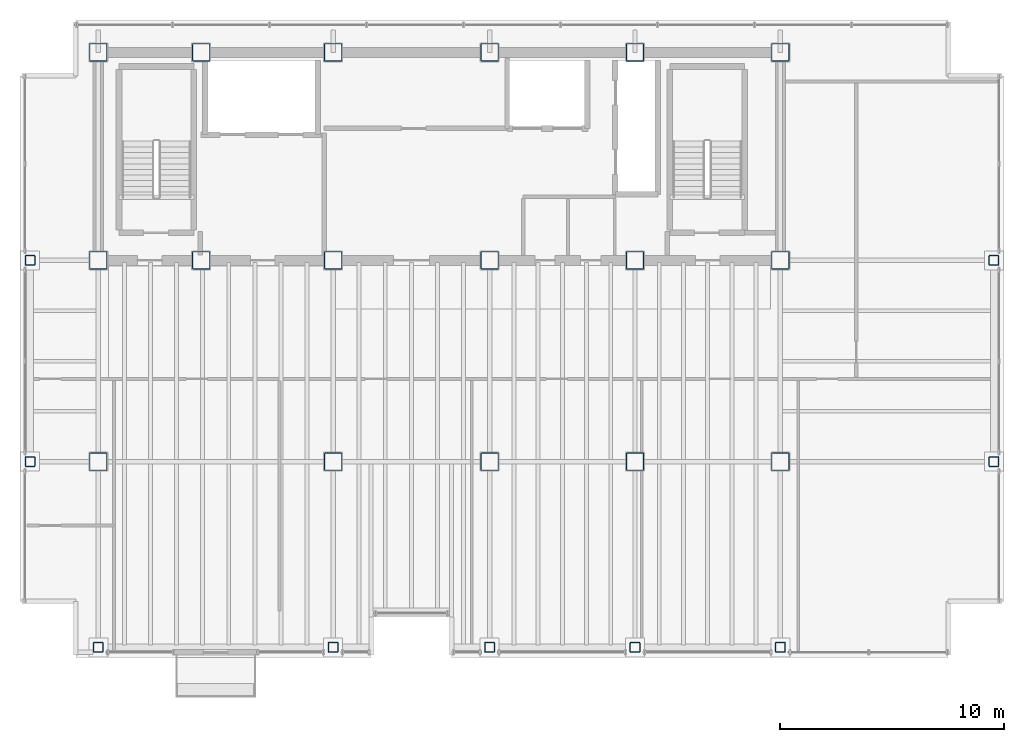
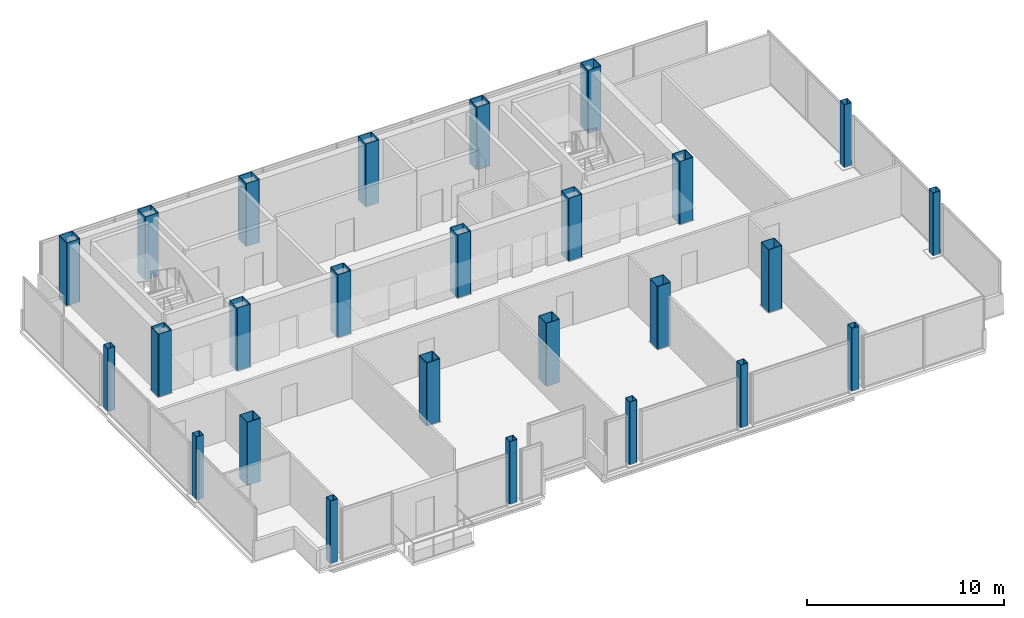
# One storey, part 1 of 15: 26 columns.
"""IFC4 building model written with IfcOpenShell, lengths in metres."""

from ifc_helpers import new_model, si_unit, direction, frame, origin, origin_2d, place, context, subcontext, project, spatial, hollow_rectangle, extrude, material, material_profile, profile_set, type_object, element, save


model = new_model("IFC4")

# Units and contexts
model_context = context("Model", 3, precision=1e-05, world=origin(), true_north=direction((0.0, 1.0)))
body_context = subcontext(model_context, "Body", "Model", "MODEL_VIEW")
ifc_project = project(units=[si_unit("LENGTHUNIT", "METRE"), si_unit("AREAUNIT", "SQUARE_METRE"), si_unit("VOLUMEUNIT", "CUBIC_METRE"), si_unit("PLANEANGLEUNIT", "RADIAN"), si_unit("MASSUNIT", "GRAM", prefix="KILO")], contexts=[model_context])

# Site, building, storey
site_placement = place(None, origin())
site = spatial("IfcSite", under=ifc_project, at=site_placement, CompositionType="ELEMENT")
building_placement = place(site_placement, origin())
building = spatial("IfcBuilding", under=site, at=building_placement, Name="Noeulbin Bourse Tower", CompositionType="ELEMENT")
storey_placement = place(building_placement, frame((0.0, 0.0, 211.10009765625)))
storey = spatial("IfcBuildingStorey", under=building, at=storey_placement, Name="L52", CompositionType="ELEMENT", Elevation=211.10009765625)

# Columns
ifc_material = material(Name="Steel S355", Category="steel")
ifc_material_profile_1 = material_profile(ifc_material, hollow_rectangle(XDim=0.449951171875, YDim=0.449951171875, WallThickness=0.02197265625, InnerFilletRadius=0.02197265625, OuterFilletRadius=0.0439453125, at=origin_2d()), Name="SHS-450x450x22", Category="LoadBearing")
ifc_profile_set_1 = profile_set([ifc_material_profile_1], Name="Steel S355")
column_type_1 = type_object("IfcColumnType", Name="COL-PER-Z3", PredefinedType="COLUMN", material=ifc_profile_set_1)
for number, where, z_axis, x_axis, name in (
    (1, (10.449951171875, 20.0, 0.0), (0.0, 0.0, 1.0), (1.0, 0.0, 0.0), "Tower Perimeter Column COL-PER-Z3 01"),
    (2, (10.449951171875, 29.0, 0.0), (0.0, 0.0, 1.0), (1.0, 0.0, 0.0), "Tower Perimeter Column COL-PER-Z3 02"),
    (3, (13.5, 11.699951171875, 0.0), (0.0, 0.0, 1.0), (1.0, 0.0, 0.0), "Tower Perimeter Column COL-PER-Z3 03"),
    (4, (24.0, 11.699951171875, 0.0), (0.0, 0.0, 1.0), (1.0, 0.0, 0.0), "Tower Perimeter Column COL-PER-Z3 04"),
    (5, (31.0, 11.699951171875, 0.0), (0.0, 0.0, 1.0), (1.0, 0.0, 0.0), "Tower Perimeter Column COL-PER-Z3 05"),
    (6, (37.5, 11.699951171875, 0.0), (0.0, 0.0, 1.0), (1.0, 0.0, 0.0), "Tower Perimeter Column COL-PER-Z3 06"),
    (7, (44.0, 11.699951171875, 0.0), (0.0, 0.0, 1.0), (1.0, 0.0, 0.0), "Tower Perimeter Column COL-PER-Z3 07"),
    (8, (53.550048828125, 20.0, 0.0), (0.0, 0.0, 1.0), (1.0, 0.0, 0.0), "Tower Perimeter Column COL-PER-Z3 08"),
    (9, (53.550048828125, 29.0, 0.0), (0.0, 0.0, 1.0), (1.0, 0.0, 0.0), "Tower Perimeter Column COL-PER-Z3 09"),
):
    element("IfcColumn", number, at=place(storey_placement, frame(where, z_axis=z_axis, x_axis=x_axis)), inside=storey, type_object=column_type_1, Name=name, PredefinedType="COLUMN", context=body_context, shape_type="SweptSolid", body=[
        extrude(hollow_rectangle(XDim=0.449951171875, YDim=0.449951171875, WallThickness=0.02197265625, InnerFilletRadius=0.02197265625, OuterFilletRadius=0.0439453125, at=origin_2d()), origin(), (0.0, 0.0, 1.0), 3.89990234375),
    ])
ifc_material_profile_2 = material_profile(ifc_material, hollow_rectangle(XDim=0.800048828125, YDim=0.800048828125, WallThickness=0.031982421875, InnerFilletRadius=0.01611328125, OuterFilletRadius=0.048095703125, at=origin_2d()), Name="BOX-800x800x32", Category="LoadBearing")
ifc_profile_set_2 = profile_set([ifc_material_profile_2], Name="Steel S355")
column_type_2 = type_object("IfcColumnType", Name="COL-TRK-Z3", PredefinedType="COLUMN", material=ifc_profile_set_2)
for number, where, z_axis, x_axis, name in (
    (10, (13.5, 29.0, 0.0), (0.0, 0.0, 1.0), (1.0, 0.0, 0.0), "Tower Trunk Mega-Column COL-TRK-Z3 01"),
    (11, (13.5, 38.300048828125, 0.0), (0.0, 0.0, 1.0), (1.0, 0.0, 0.0), "Tower Trunk Mega-Column COL-TRK-Z3 02"),
    (12, (18.10009765625, 29.0, 0.0), (0.0, 0.0, 1.0), (1.0, 0.0, 0.0), "Tower Trunk Mega-Column COL-TRK-Z3 03"),
    (13, (18.10009765625, 38.300048828125, 0.0), (0.0, 0.0, 1.0), (1.0, 0.0, 0.0), "Tower Trunk Mega-Column COL-TRK-Z3 04"),
    (14, (24.0, 29.0, 0.0), (0.0, 0.0, 1.0), (1.0, 0.0, 0.0), "Tower Trunk Mega-Column COL-TRK-Z3 05"),
    (15, (24.0, 38.300048828125, 0.0), (0.0, 0.0, 1.0), (1.0, 0.0, 0.0), "Tower Trunk Mega-Column COL-TRK-Z3 06"),
    (16, (31.0, 29.0, 0.0), (0.0, 0.0, 1.0), (1.0, 0.0, 0.0), "Tower Trunk Mega-Column COL-TRK-Z3 07"),
    (17, (31.0, 38.300048828125, 0.0), (0.0, 0.0, 1.0), (1.0, 0.0, 0.0), "Tower Trunk Mega-Column COL-TRK-Z3 08"),
    (18, (37.5, 29.0, 0.0), (0.0, 0.0, 1.0), (1.0, 0.0, 0.0), "Tower Trunk Mega-Column COL-TRK-Z3 09"),
    (19, (37.5, 38.300048828125, 0.0), (0.0, 0.0, 1.0), (1.0, 0.0, 0.0), "Tower Trunk Mega-Column COL-TRK-Z3 10"),
    (20, (44.0, 29.0, 0.0), (0.0, 0.0, 1.0), (1.0, 0.0, 0.0), "Tower Trunk Mega-Column COL-TRK-Z3 11"),
    (21, (44.0, 38.300048828125, 0.0), (0.0, 0.0, 1.0), (1.0, 0.0, 0.0), "Tower Trunk Mega-Column COL-TRK-Z3 12"),
    (22, (13.5, 20.0, 0.0), (0.0, 0.0, 1.0), (1.0, 0.0, 0.0), "Tower Trunk Mega-Column COL-TRK-Z3 13"),
    (23, (24.0, 20.0, 0.0), (0.0, 0.0, 1.0), (1.0, 0.0, 0.0), "Tower Trunk Mega-Column COL-TRK-Z3 14"),
    (24, (31.0, 20.0, 0.0), (0.0, 0.0, 1.0), (1.0, 0.0, 0.0), "Tower Trunk Mega-Column COL-TRK-Z3 15"),
    (25, (37.5, 20.0, 0.0), (0.0, 0.0, 1.0), (1.0, 0.0, 0.0), "Tower Trunk Mega-Column COL-TRK-Z3 16"),
    (26, (44.0, 20.0, 0.0), (0.0, 0.0, 1.0), (1.0, 0.0, 0.0), "Tower Trunk Mega-Column COL-TRK-Z3 17"),
):
    element("IfcColumn", number, at=place(storey_placement, frame(where, z_axis=z_axis, x_axis=x_axis)), inside=storey, type_object=column_type_2, Name=name, PredefinedType="COLUMN", context=body_context, shape_type="SweptSolid", body=[
        extrude(hollow_rectangle(XDim=0.800048828125, YDim=0.800048828125, WallThickness=0.031982421875, InnerFilletRadius=0.01611328125, OuterFilletRadius=0.048095703125, at=origin_2d()), origin(), (0.0, 0.0, 1.0), 3.89990234375),
    ])

save(model, "model.ifc")
